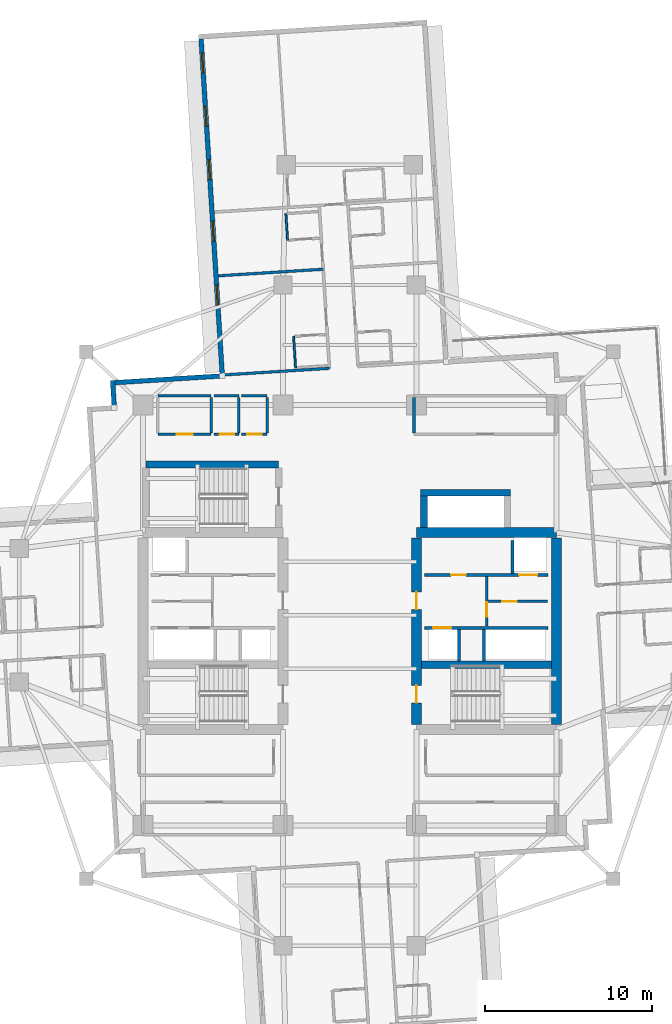
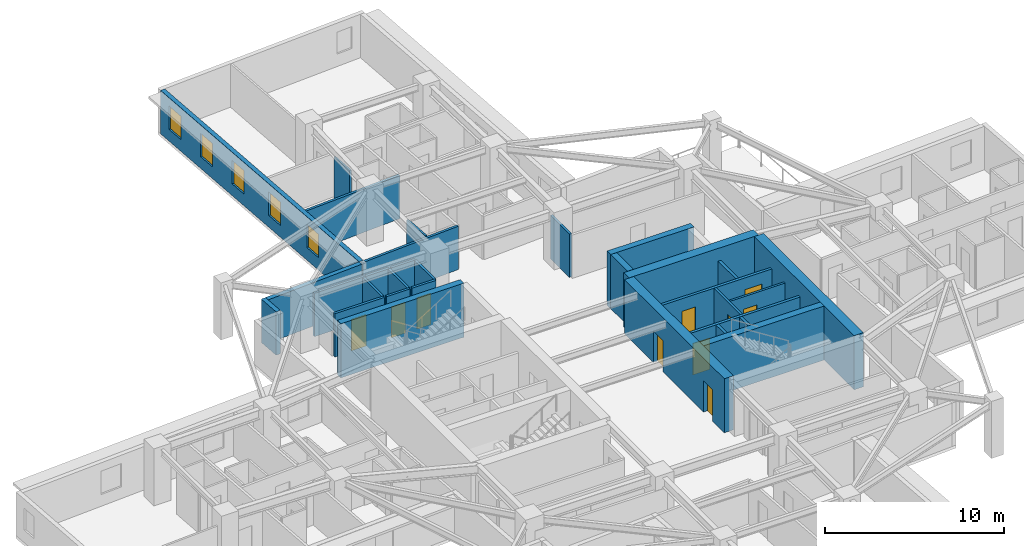
# One storey, part 6 of 14: 31 walls, 10 doors, 5 windows, 15 openings.
"""IFC4 building model written with IfcOpenShell, lengths in metres."""

from ifc_helpers import new_model, si_unit, direction, frame, frame_2d, origin, place, context, subcontext, project, spatial, rectangle, extrude, material, layer, layer_set, type_object, element, fill, save


model = new_model("IFC4")

# Units and contexts
model_context = context("Model", 3, precision=1e-05, world=origin(), true_north=direction((0.0, 1.0)))
body_context = subcontext(model_context, "Body", "Model", "MODEL_VIEW")
ifc_project = project(units=[si_unit("LENGTHUNIT", "METRE"), si_unit("AREAUNIT", "SQUARE_METRE"), si_unit("VOLUMEUNIT", "CUBIC_METRE"), si_unit("PLANEANGLEUNIT", "RADIAN"), si_unit("MASSUNIT", "GRAM", prefix="KILO")], contexts=[model_context])

# Site, building, storey
site_placement = place(None, origin())
site = spatial("IfcSite", under=ifc_project, at=site_placement, CompositionType="ELEMENT")
building_placement = place(site_placement, origin())
building = spatial("IfcBuilding", under=site, at=building_placement, Name="Qingluan Cross Belvedere", CompositionType="ELEMENT")
storey_placement = place(building_placement, frame((0.0, 0.0, 128.10009765625)))
storey = spatial("IfcBuildingStorey", under=building, at=storey_placement, Name="L32", CompositionType="ELEMENT", Elevation=128.10009765625)

# Walls
ifc_material_1 = material(Name="Concrete C50", Category="concrete")
ifc_layer_1 = layer(ifc_material_1, 0.449951171875, Name="CoreShearWall_450")
ifc_layer_set_1 = layer_set([ifc_layer_1], Name="Concrete C50")
wall_type_1 = type_object("IfcWallType", Name="CoreShearWall_450", PredefinedType="SHEAR", material=ifc_layer_set_1)
wall_1_placement = place(storey_placement, frame((4.304931640625, -2.9599609375, 0.0), z_axis=(0.0, 0.0, 1.0), x_axis=(1.0, 0.0, 0.0)))
element("IfcWall", 1, at=wall_1_placement, inside=storey, type_object=wall_type_1, Name="Split core E shear wall L32-M", PredefinedType="SHEAR", context=body_context, shape_type="SweptSolid", body=[
    extrude(rectangle(XDim=7.7900390625, YDim=0.449951171875, at=frame_2d((3.89501953125, 0.0))), origin(), (0.0, 0.0, 1.0), 3.699951171875),
])
wall_2_placement = place(storey_placement, frame((-12.219970703125, 9.0400390625, 0.0), z_axis=(0.0, 0.0, 1.0), x_axis=(1.0, 0.0, 0.0)))
element("IfcWall", 2, at=wall_2_placement, inside=storey, type_object=wall_type_1, Name="Stair ST3 structural wall N L32", PredefinedType="SHEAR", context=body_context, shape_type="SweptSolid", body=[
    extrude(rectangle(XDim=7.9599609375, YDim=0.39990234375, at=frame_2d((3.97998046875, 0.0))), origin(), (0.0, 0.0, 1.0), 3.699951171875),
])
wall_3_placement = place(storey_placement, frame((4.449951171875, 5.2548828125, 0.0), z_axis=(0.0, 0.0, 1.0), x_axis=(0.0, 1.0, 0.0)))
element("IfcWall", 3, at=wall_3_placement, inside=storey, type_object=wall_type_1, Name="Express shuttle core wall L32-W", PredefinedType="SHEAR", context=body_context, shape_type="SweptSolid", body=[
    extrude(rectangle(XDim=1.885009765625, YDim=0.39990234375, at=frame_2d((0.9423828125, 0.0))), origin(), (0.0, 0.0, 1.0), 3.699951171875),
])
wall_4_placement = place(storey_placement, frame((4.25, 7.35009765625, 0.0), z_axis=(0.0, 0.0, 1.0), x_axis=(1.0, 0.0, 0.0)))
element("IfcWall", 4, at=wall_4_placement, inside=storey, type_object=wall_type_1, Name="Express shuttle core wall L32-N", PredefinedType="SHEAR", context=body_context, shape_type="SweptSolid", body=[
    extrude(rectangle(XDim=5.39990234375, YDim=0.39990234375, at=frame_2d((2.699951171875, 0.0))), origin(), (0.0, 0.0, 1.0), 3.699951171875),
])
ifc_material_2 = material(Name="Concrete C60", Category="concrete")
ifc_layer_2 = layer(ifc_material_2, 0.60009765625, Name="CoreShearWall_600")
ifc_layer_set_2 = layer_set([ifc_layer_2], Name="Concrete C60")
wall_type_2 = type_object("IfcWallType", Name="CoreShearWall_600", PredefinedType="SHEAR", material=ifc_layer_set_2)
wall_5_placement = place(storey_placement, frame((4.0, 4.949951171875, 0.0), z_axis=(0.0, 0.0, 1.0), x_axis=(1.0, 0.0, 0.0)))
element("IfcWall", 5, at=wall_5_placement, inside=storey, type_object=wall_type_2, Name="Split core E shear wall L32-N", PredefinedType="SHEAR", context=body_context, shape_type="SweptSolid", body=[
    extrude(rectangle(XDim=8.39990234375, YDim=0.60009765625, at=frame_2d((4.199951171875, 0.0))), origin(), (0.0, 0.0, 1.0), 3.699951171875),
])

# Wall, openings, doors
wall_6_placement = place(storey_placement, frame((4.0, -6.544921875, 0.0), z_axis=(0.0, 0.0, 1.0), x_axis=(0.0, 1.0, 0.0)))
wall_6 = element("IfcWall", 6, at=wall_6_placement, inside=storey, type_object=wall_type_2, Name="Split core E shear wall L32-W", PredefinedType="SHEAR", context=body_context, shape_type="SweptSolid", body=[
    extrude(rectangle(XDim=11.18994140625, YDim=0.60009765625, at=frame_2d((5.594970703125, 0.0))), origin(), (0.0, 0.0, 1.0), 3.699951171875),
])
opening_1_placement = place(wall_6_placement, frame((1.294921875, 0.0, 0.0)))
opening_1 = element("IfcOpeningElement", 7, at=opening_1_placement, cuts=wall_6, Name="Opening FD-B11", PredefinedType="OPENING", context=body_context, shape_type="SweptSolid", body=[
    extrude(rectangle(XDim=1.050048828125, YDim=2.14990234375, at=frame_2d((0.52490234375, 1.074951171875))), frame((0.0, 0.31005859375, 0.0), z_axis=(0.0, -1.0, 0.0), x_axis=(1.0, 0.0, 0.0)), (0.0, 0.0, 1.0), 0.6201171875),
])
opening_2_placement = place(wall_6_placement, frame((6.89501953125, 0.0, 0.0)))
opening_2 = element("IfcOpeningElement", 8, at=opening_2_placement, cuts=wall_6, Name="Opening FD-B11", PredefinedType="OPENING", context=body_context, shape_type="SweptSolid", body=[
    extrude(rectangle(XDim=1.050048828125, YDim=2.14990234375, at=frame_2d((0.52490234375, 1.074951171875))), frame((0.0, 0.31005859375, 0.0), z_axis=(0.0, -1.0, 0.0), x_axis=(1.0, 0.0, 0.0)), (0.0, 0.0, 1.0), 0.6201171875),
])
ifc_material_3 = material(Name="Steel Class B smoke-seal fire door", Category="steel")
door_type_1 = type_object("IfcDoorType", Name="StairLobbyFireDoor_FDB", OperationType="NOTDEFINED", PredefinedType="DOOR", material=ifc_material_3)
door_1_placement = place(opening_1_placement, origin())
door_1 = element("IfcDoor", 9, at=door_1_placement, inside=storey, type_object=door_type_1, Name="Smoke-proof stair ST2 fire door L32", OperationType="SINGLE_SWING_LEFT", OverallHeight=2.14990234375, OverallWidth=1.050048828125, PredefinedType="DOOR", context=body_context, shape_type="SweptSolid", body=[
    extrude(rectangle(XDim=1.050048828125, YDim=2.14990234375, at=frame_2d((0.52490234375, 1.074951171875))), frame((0.0, 0.02490234375, 0.0), z_axis=(0.0, -1.0, 0.0), x_axis=(1.0, 0.0, 0.0)), (0.0, 0.0, 1.0), 0.050048828125),
])
fill(opening_1, door_1)
door_2_placement = place(opening_2_placement, origin())
door_2 = element("IfcDoor", 10, at=door_2_placement, inside=storey, type_object=door_type_1, Name="Firefighting lobby East fire door L32", OperationType="SINGLE_SWING_LEFT", OverallHeight=2.14990234375, OverallWidth=1.050048828125, PredefinedType="DOOR", context=body_context, shape_type="SweptSolid", body=[
    extrude(rectangle(XDim=1.050048828125, YDim=2.14990234375, at=frame_2d((0.52490234375, 1.074951171875))), frame((0.0, 0.02490234375, 0.0), z_axis=(0.0, -1.0, 0.0), x_axis=(1.0, 0.0, 0.0)), (0.0, 0.0, 1.0), 0.050048828125),
])
fill(opening_2, door_2)

# Wall
wall_7_placement = place(storey_placement, frame((12.39990234375, -6.544921875, 0.0), z_axis=(0.0, 0.0, 1.0), x_axis=(0.0, 1.0, 0.0)))
element("IfcWall", 11, at=wall_7_placement, inside=storey, type_object=wall_type_2, Name="Split core E shear wall L32-E", PredefinedType="SHEAR", context=body_context, shape_type="SweptSolid", body=[
    extrude(rectangle(XDim=11.18994140625, YDim=0.60009765625, at=frame_2d((5.594970703125, 0.0))), origin(), (0.0, 0.0, 1.0), 3.699951171875),
])

# Wall, opening, door
ifc_material_4 = material(Name="Gypsum plasterboard on steel stud acoustic partition", Category="steel")
ifc_layer_3 = layer(ifc_material_4, 0.159912109375, Name="CorridorPartition_160")
ifc_layer_set_3 = layer_set([ifc_layer_3], Name="Gypsum plasterboard on steel stud acoustic partition")
wall_type_3 = type_object("IfcWallType", Name="CorridorPartition_160", PredefinedType="PARTITIONING", material=ifc_layer_set_3)
wall_8_placement = place(storey_placement, frame((8.298095703125, 0.830078125, 0.0), z_axis=(0.0, 0.0, 1.0), x_axis=(1.0, 0.0, 0.0)))
wall_8 = element("IfcWall", 12, at=wall_8_placement, inside=storey, type_object=wall_type_3, Name="Partition L32:e", PredefinedType="PARTITIONING", context=body_context, shape_type="SweptSolid", body=[
    extrude(rectangle(XDim=3.552001953125, YDim=0.139892578125, at=frame_2d((1.77587890625, 0.0))), origin(), (0.0, 0.0, 1.0), 2.9599609375),
])
opening_3_placement = place(wall_8_placement, frame((0.85009765625, 0.0, 0.0)))
opening_3 = element("IfcOpeningElement", 13, at=opening_3_placement, cuts=wall_8, Name="Opening FD-B10", PredefinedType="OPENING", context=body_context, shape_type="SweptSolid", body=[
    extrude(rectangle(XDim=0.8798828125, YDim=2.10009765625, at=frame_2d((0.43994140625, 1.050048828125))), frame((0.0, 0.079833984375, 0.0), z_axis=(0.0, -1.0, 0.0), x_axis=(1.0, 0.0, 0.0)), (0.0, 0.0, 1.0), 0.159912109375),
])
ifc_material_5 = material(Name="Steel Class B service fire door", Category="steel")
door_type_2 = type_object("IfcDoorType", Name="RiserServiceFireDoor_FDB", OperationType="NOTDEFINED", PredefinedType="DOOR", material=ifc_material_5)
door_3_placement = place(opening_3_placement, origin())
door_3 = element("IfcDoor", 14, at=door_3_placement, inside=storey, type_object=door_type_2, Name="Service closet inner door L32", OperationType="SINGLE_SWING_RIGHT", OverallHeight=2.10009765625, OverallWidth=0.8798828125, PredefinedType="DOOR", context=body_context, shape_type="SweptSolid", body=[
    extrude(rectangle(XDim=0.8798828125, YDim=2.10009765625, at=frame_2d((0.43994140625, 1.050048828125))), frame((0.0, 0.02490234375, 0.0), z_axis=(0.0, -1.0, 0.0), x_axis=(1.0, 0.0, 0.0)), (0.0, 0.0, 1.0), 0.050048828125),
])
fill(opening_3, door_3)

wall_9_placement = place(storey_placement, frame((-11.5, 10.85009765625, 0.0), z_axis=(0.0, 0.0, 1.0), x_axis=(1.0, 0.0, 0.0)))
wall_9 = element("IfcWall", 15, at=wall_9_placement, inside=storey, type_object=wall_type_3, Name="Partition L32:q_nw_occ:S", PredefinedType="PARTITIONING", context=body_context, shape_type="SweptSolid", body=[
    extrude(rectangle(XDim=3.199951171875, YDim=0.159912109375, at=frame_2d((1.60009765625, 0.0))), origin(), (0.0, 0.0, 1.0), 2.9599609375),
])
opening_4_placement = place(wall_9_placement, frame((1.1201171875, 0.0, 0.0)))
opening_4 = element("IfcOpeningElement", 16, at=opening_4_placement, cuts=wall_9, Name="Opening GD-10", PredefinedType="OPENING", context=body_context, shape_type="SweptSolid", body=[
    extrude(rectangle(XDim=0.9599609375, YDim=2.14990234375, at=frame_2d((0.47998046875, 1.074951171875))), frame((0.0, 0.08984375, 0.0), z_axis=(0.0, -1.0, 0.0), x_axis=(1.0, 0.0, 0.0)), (0.0, 0.0, 1.0), 0.179931640625),
])
ifc_material_6 = material(Name="Timber oak fire-rated acoustic guestroom door", Category="wood")
door_type_3 = type_object("IfcDoorType", Name="GuestEntryDoor_FD60", OperationType="NOTDEFINED", PredefinedType="DOOR", material=ifc_material_6)
door_4_placement = place(opening_4_placement, origin())
door_4 = element("IfcDoor", 17, at=door_4_placement, inside=storey, type_object=door_type_3, Name="Northwest corner reading salon L32 door", OperationType="SINGLE_SWING_RIGHT", OverallHeight=2.14990234375, OverallWidth=0.9599609375, PredefinedType="DOOR", context=body_context, shape_type="SweptSolid", body=[
    extrude(rectangle(XDim=0.9599609375, YDim=2.14990234375, at=frame_2d((0.47998046875, 1.074951171875))), frame((0.0, 0.02490234375, 0.0), z_axis=(0.0, -1.0, 0.0), x_axis=(1.0, 0.0, 0.0)), (0.0, 0.0, 1.0), 0.050048828125),
])
fill(opening_4, door_4)

# Walls
wall_10_placement = place(storey_placement, frame((-11.5, 13.14990234375, 0.0), z_axis=(0.0, 0.0, 1.0), x_axis=(1.0, 0.0, 0.0)))
element("IfcWall", 18, at=wall_10_placement, inside=storey, type_object=wall_type_3, Name="Partition L32:q_nw_occ:N", PredefinedType="PARTITIONING", context=body_context, shape_type="SweptSolid", body=[
    extrude(rectangle(XDim=3.199951171875, YDim=0.159912109375, at=frame_2d((1.60009765625, 0.0))), origin(), (0.0, 0.0, 1.0), 2.9599609375),
])
wall_11_placement = place(storey_placement, frame((-8.300048828125, 10.93505859375, 0.0), z_axis=(0.0, 0.0, 1.0), x_axis=(0.0, 1.0, 0.0)))
element("IfcWall", 19, at=wall_11_placement, inside=storey, type_object=wall_type_3, Name="Partition L32:q_nw_occ:E", PredefinedType="PARTITIONING", context=body_context, shape_type="SweptSolid", body=[
    extrude(rectangle(XDim=2.1298828125, YDim=0.159912109375, at=frame_2d((1.06494140625, 0.0))), origin(), (0.0, 0.0, 1.0), 2.9599609375),
])

# Wall, opening, door
wall_12_placement = place(storey_placement, frame((-8.139892578125, 10.85009765625, 0.0), z_axis=(0.0, 0.0, 1.0), x_axis=(1.0, 0.0, 0.0)))
wall_12 = element("IfcWall", 20, at=wall_12_placement, inside=storey, type_object=wall_type_3, Name="Partition L32:hk_linen:S", PredefinedType="PARTITIONING", context=body_context, shape_type="SweptSolid", body=[
    extrude(rectangle(XDim=1.489990234375, YDim=0.159912109375, at=frame_2d((0.7451171875, 0.0))), origin(), (0.0, 0.0, 1.0), 2.9599609375),
])
opening_5_placement = place(wall_12_placement, frame((0.35009765625, 0.0, 0.0)))
opening_5 = element("IfcOpeningElement", 21, at=opening_5_placement, cuts=wall_12, Name="Opening FD-B10", PredefinedType="OPENING", context=body_context, shape_type="SweptSolid", body=[
    extrude(rectangle(XDim=0.8798828125, YDim=2.10009765625, at=frame_2d((0.43994140625, 1.050048828125))), frame((0.0, 0.08984375, 0.0), z_axis=(0.0, -1.0, 0.0), x_axis=(1.0, 0.0, 0.0)), (0.0, 0.0, 1.0), 0.179931640625),
])
door_5_placement = place(opening_5_placement, origin())
door_5 = element("IfcDoor", 22, at=door_5_placement, inside=storey, type_object=door_type_2, Name="Housekeeping and linen store L32 door", OperationType="SINGLE_SWING_LEFT", OverallHeight=2.10009765625, OverallWidth=0.8798828125, PredefinedType="DOOR", context=body_context, shape_type="SweptSolid", body=[
    extrude(rectangle(XDim=0.8798828125, YDim=2.10009765625, at=frame_2d((0.43994140625, 1.050048828125))), frame((0.0, 0.02490234375, 0.0), z_axis=(0.0, -1.0, 0.0), x_axis=(1.0, 0.0, 0.0)), (0.0, 0.0, 1.0), 0.050048828125),
])
fill(opening_5, door_5)

# Walls
wall_13_placement = place(storey_placement, frame((-8.139892578125, 13.14990234375, 0.0), z_axis=(0.0, 0.0, 1.0), x_axis=(1.0, 0.0, 0.0)))
element("IfcWall", 23, at=wall_13_placement, inside=storey, type_object=wall_type_3, Name="Partition L32:hk_linen:N", PredefinedType="PARTITIONING", context=body_context, shape_type="SweptSolid", body=[
    extrude(rectangle(XDim=1.489990234375, YDim=0.159912109375, at=frame_2d((0.7451171875, 0.0))), origin(), (0.0, 0.0, 1.0), 2.9599609375),
])
wall_14_placement = place(storey_placement, frame((-6.64990234375, 10.93505859375, 0.0), z_axis=(0.0, 0.0, 1.0), x_axis=(0.0, 1.0, 0.0)))
element("IfcWall", 24, at=wall_14_placement, inside=storey, type_object=wall_type_3, Name="Partition L32:hk_linen:E", PredefinedType="PARTITIONING", context=body_context, shape_type="SweptSolid", body=[
    extrude(rectangle(XDim=2.1298828125, YDim=0.159912109375, at=frame_2d((1.06494140625, 0.0))), origin(), (0.0, 0.0, 1.0), 2.9599609375),
])

# Wall, opening, door
wall_15_placement = place(storey_placement, frame((-6.489990234375, 10.85009765625, 0.0), z_axis=(0.0, 0.0, 1.0), x_axis=(1.0, 0.0, 0.0)))
wall_15 = element("IfcWall", 25, at=wall_15_placement, inside=storey, type_object=wall_type_3, Name="Partition L32:floor_acc_wc:S", PredefinedType="PARTITIONING", context=body_context, shape_type="SweptSolid", body=[
    extrude(rectangle(XDim=1.5400390625, YDim=0.159912109375, at=frame_2d((0.77001953125, 0.0))), origin(), (0.0, 0.0, 1.0), 2.9599609375),
])
opening_6_placement = place(wall_15_placement, frame((0.35009765625, 0.0, 0.0)))
opening_6 = element("IfcOpeningElement", 26, at=opening_6_placement, cuts=wall_15, Name="Opening BD-08", PredefinedType="OPENING", context=body_context, shape_type="SweptSolid", body=[
    extrude(rectangle(XDim=0.8798828125, YDim=2.14990234375, at=frame_2d((0.43994140625, 1.074951171875))), frame((0.0, 0.08984375, 0.0), z_axis=(0.0, -1.0, 0.0), x_axis=(1.0, 0.0, 0.0)), (0.0, 0.0, 1.0), 0.179931640625),
])
ifc_material_7 = material(Name="Moisture-sealed timber accessible WC door", Category="wood")
door_type_4 = type_object("IfcDoorType", Name="AccessibleWCDoor_880", OperationType="NOTDEFINED", PredefinedType="DOOR", material=ifc_material_7)
door_6_placement = place(opening_6_placement, origin())
door_6 = element("IfcDoor", 27, at=door_6_placement, inside=storey, type_object=door_type_4, Name="Accessible guest washroom L32 door", OperationType="SINGLE_SWING_RIGHT", OverallHeight=2.14990234375, OverallWidth=0.8798828125, PredefinedType="DOOR", context=body_context, shape_type="SweptSolid", body=[
    extrude(rectangle(XDim=0.8798828125, YDim=2.14990234375, at=frame_2d((0.43994140625, 1.074951171875))), frame((0.0, 0.02490234375, 0.0), z_axis=(0.0, -1.0, 0.0), x_axis=(1.0, 0.0, 0.0)), (0.0, 0.0, 1.0), 0.050048828125),
])
fill(opening_6, door_6)

# Walls
wall_16_placement = place(storey_placement, frame((-6.489990234375, 13.14990234375, 0.0), z_axis=(0.0, 0.0, 1.0), x_axis=(1.0, 0.0, 0.0)))
element("IfcWall", 28, at=wall_16_placement, inside=storey, type_object=wall_type_3, Name="Partition L32:floor_acc_wc:N", PredefinedType="PARTITIONING", context=body_context, shape_type="SweptSolid", body=[
    extrude(rectangle(XDim=1.5400390625, YDim=0.159912109375, at=frame_2d((0.77001953125, 0.0))), origin(), (0.0, 0.0, 1.0), 2.9599609375),
])
for number, where, z_axis, x_axis, name in (
    (29, (-4.949951171875, 10.93505859375, 0.0), (0.0, 0.0, 1.0), (0.0, 1.0, 0.0), "Partition L32:floor_acc_wc:E"),
    (30, (3.85009765625, 10.93505859375, 0.0), (0.0, 0.0, 1.0), (0.0, 1.0, 0.0), "Partition L32:q_ne:W"),
):
    element("IfcWall", number, at=place(storey_placement, frame(where, z_axis=z_axis, x_axis=x_axis)), inside=storey, type_object=wall_type_3, Name=name, PredefinedType="PARTITIONING", context=body_context, shape_type="SweptSolid", body=[
        extrude(rectangle(XDim=2.1298828125, YDim=0.159912109375, at=frame_2d((1.06494140625, 0.0))), origin(), (0.0, 0.0, 1.0), 2.9599609375),
    ])
wall_17_placement = place(storey_placement, frame((-1.2119140625, 14.802978515625, 0.0), z_axis=(0.0, 0.0, 1.0), x_axis=(-0.998027420959, -0.062779511096, 0.0)))
element("IfcWall", 31, at=wall_17_placement, inside=storey, type_object=wall_type_3, Name="Partition L32:N:s1", PredefinedType="PARTITIONING", context=body_context, shape_type="SweptSolid", body=[
    extrude(rectangle(XDim=6.43994140625, YDim=0.159912109375, at=frame_2d((3.219970703125, 0.0))), origin(), (0.0, 0.0, 1.0), 2.9599609375),
])
wall_18_placement = place(storey_placement, frame((-1.58544921875, 20.741455078125, 0.0), z_axis=(0.0, 0.0, 1.0), x_axis=(-0.998024851178, -0.062820350455, 0.0)))
element("IfcWall", 32, at=wall_18_placement, inside=storey, type_object=wall_type_3, Name="Partition L32:N:d1_0", PredefinedType="PARTITIONING", context=body_context, shape_type="SweptSolid", body=[
    extrude(rectangle(XDim=6.2919921875, YDim=0.159912109375, at=frame_2d((3.14599609375, 0.0))), origin(), (0.0, 0.0, 1.0), 2.9599609375),
])
ifc_material_8 = material(Name="Moisture-resistant gypsum board lining")
ifc_layer_4 = layer(ifc_material_8, 0.1201171875, Name="EnsuiteWetPartition_120")
ifc_layer_set_4 = layer_set([ifc_layer_4], Name="Moisture-resistant gypsum board lining")
wall_type_4 = type_object("IfcWallType", Name="EnsuiteWetPartition_120", PredefinedType="PARTITIONING", material=ifc_layer_set_4)
wall_19_placement = place(storey_placement, frame((-3.242919921875, 14.835693359375, 0.0), z_axis=(0.0, 0.0, 1.0), x_axis=(-0.062855297722, 0.998022650819, 0.0)))
element("IfcWall", 33, at=wall_19_placement, inside=storey, type_object=wall_type_4, Name="Partition L32:N:bc1_0", PredefinedType="PARTITIONING", context=body_context, shape_type="SweptSolid", body=[
    extrude(rectangle(XDim=1.8798828125, YDim=0.1201171875, at=frame_2d((0.93994140625, 0.0))), origin(), (0.0, 0.0, 1.0), 2.9599609375),
])
wall_20_placement = place(storey_placement, frame((-3.723876953125, 22.48046875, 0.0), z_axis=(0.0, 0.0, 1.0), x_axis=(-0.062862733403, 0.998022182494, 0.0)))
element("IfcWall", 34, at=wall_20_placement, inside=storey, type_object=wall_type_4, Name="Partition L32:N:bc1_1", PredefinedType="PARTITIONING", context=body_context, shape_type="SweptSolid", body=[
    extrude(rectangle(XDim=1.60009765625, YDim=0.1201171875, at=frame_2d((0.800048828125, 0.0))), origin(), (0.0, 0.0, 1.0), 2.9599609375),
])

# Wall, openings, windows
ifc_material_9 = material(Name="Precast concrete C45", Category="concrete")
ifc_layer_5 = layer(ifc_material_9, 0.280029296875, Name="PrecastFacadeWall_280")
ifc_layer_set_5 = layer_set([ifc_layer_5], Name="Precast concrete C45")
wall_type_5 = type_object("IfcWallType", Name="PrecastFacadeWall_280", PredefinedType="STANDARD", material=ifc_layer_set_5)
wall_21_placement = place(storey_placement, frame((-8.906982421875, 34.548828125, 0.0), z_axis=(0.0, 0.0, 1.0), x_axis=(0.06279645424, -0.99802635503, 0.0)))
wall_21 = element("IfcWall", 35, at=wall_21_placement, inside=storey, type_object=wall_type_5, Name="Facade wall L32-NB", PredefinedType="STANDARD", context=body_context, shape_type="SweptSolid", body=[
    extrude(rectangle(XDim=20.099853515625, YDim=0.280029296875, at=frame_2d((10.0498046875, 0.0))), origin(), (0.0, 0.0, 1.0), 2.969970703125),
])
opening_7_placement = place(wall_21_placement, frame((0.85009765625, 0.0, 0.800048828125)))
opening_7 = element("IfcOpeningElement", 36, at=opening_7_placement, cuts=wall_21, Name="Opening W-02", PredefinedType="OPENING", context=body_context, shape_type="SweptSolid", body=[
    extrude(rectangle(XDim=1.199951171875, YDim=1.60009765625, at=frame_2d((0.60009765625, 0.800048828125))), frame((0.0, 0.14990234375, 0.0), z_axis=(0.0, -1.0, 0.0), x_axis=(1.0, 0.0, 0.0)), (0.0, 0.0, 1.0), 0.300048828125),
])
opening_8_placement = place(wall_21_placement, frame((4.050048828125, 0.0, 0.800048828125)))
opening_8 = element("IfcOpeningElement", 37, at=opening_8_placement, cuts=wall_21, Name="Opening W-02", PredefinedType="OPENING", context=body_context, shape_type="SweptSolid", body=[
    extrude(rectangle(XDim=1.199951171875, YDim=1.60009765625, at=frame_2d((0.60009765625, 0.800048828125))), frame((0.0, 0.14990234375, 0.0), z_axis=(0.0, -1.0, 0.0), x_axis=(1.0, 0.0, 0.0)), (0.0, 0.0, 1.0), 0.300048828125),
])
opening_9_placement = place(wall_21_placement, frame((7.25, 0.0, 0.800048828125)))
opening_9 = element("IfcOpeningElement", 38, at=opening_9_placement, cuts=wall_21, Name="Opening W-02", PredefinedType="OPENING", context=body_context, shape_type="SweptSolid", body=[
    extrude(rectangle(XDim=1.199951171875, YDim=1.60009765625, at=frame_2d((0.60009765625, 0.800048828125))), frame((0.0, 0.14990234375, 0.0), z_axis=(0.0, -1.0, 0.0), x_axis=(1.0, 0.0, 0.0)), (0.0, 0.0, 1.0), 0.300048828125),
])
opening_10_placement = place(wall_21_placement, frame((10.949951171875, 0.0, 0.800048828125)))
opening_10 = element("IfcOpeningElement", 39, at=opening_10_placement, cuts=wall_21, Name="Opening W-02", PredefinedType="OPENING", context=body_context, shape_type="SweptSolid", body=[
    extrude(rectangle(XDim=1.199951171875, YDim=1.60009765625, at=frame_2d((0.60009765625, 0.800048828125))), frame((0.0, 0.14990234375, 0.0), z_axis=(0.0, -1.0, 0.0), x_axis=(1.0, 0.0, 0.0)), (0.0, 0.0, 1.0), 0.300048828125),
])
opening_11_placement = place(wall_21_placement, frame((14.799072265625, 0.0, 0.85009765625)))
opening_11 = element("IfcOpeningElement", 40, at=opening_11_placement, cuts=wall_21, Name="Opening W-02", PredefinedType="OPENING", context=body_context, shape_type="SweptSolid", body=[
    extrude(rectangle(XDim=1.199951171875, YDim=1.60009765625, at=frame_2d((0.60009765625, 0.800048828125))), frame((0.0, 0.14990234375, 0.0), z_axis=(0.0, -1.0, 0.0), x_axis=(1.0, 0.0, 0.0)), (0.0, 0.0, 1.0), 0.300048828125),
])
ifc_material_10 = material(Name="Thermally broken triple Low-E glass in aluminium frame", Category="aluminium")
window_type = type_object("IfcWindowType", Name="TriRibbonWin_1200x1600", PartitioningType="SINGLE_PANEL", PredefinedType="WINDOW", material=ifc_material_10)
window_1_placement = place(opening_7_placement, origin())
window_1 = element("IfcWindow", 41, at=window_1_placement, inside=storey, type_object=window_type, Name="Ribbon window L32-NB-1", OverallHeight=1.60009765625, OverallWidth=1.199951171875, PartitioningType="SINGLE_PANEL", PredefinedType="WINDOW", context=body_context, shape_type="SweptSolid", body=[
    extrude(rectangle(XDim=1.199951171875, YDim=1.60009765625, at=frame_2d((0.60009765625, 0.800048828125))), frame((0.0, 0.030029296875, 0.0), z_axis=(0.0, -1.0, 0.0), x_axis=(1.0, 0.0, 0.0)), (0.0, 0.0, 1.0), 0.06005859375),
])
fill(opening_7, window_1)
window_2_placement = place(opening_8_placement, origin())
window_2 = element("IfcWindow", 42, at=window_2_placement, inside=storey, type_object=window_type, Name="Ribbon window L32-NB-2", OverallHeight=1.60009765625, OverallWidth=1.199951171875, PartitioningType="SINGLE_PANEL", PredefinedType="WINDOW", context=body_context, shape_type="SweptSolid", body=[
    extrude(rectangle(XDim=1.199951171875, YDim=1.60009765625, at=frame_2d((0.60009765625, 0.800048828125))), frame((0.0, 0.030029296875, 0.0), z_axis=(0.0, -1.0, 0.0), x_axis=(1.0, 0.0, 0.0)), (0.0, 0.0, 1.0), 0.06005859375),
])
fill(opening_8, window_2)
window_3_placement = place(opening_9_placement, origin())
window_3 = element("IfcWindow", 43, at=window_3_placement, inside=storey, type_object=window_type, Name="Ribbon window L32-NB-3", OverallHeight=1.60009765625, OverallWidth=1.199951171875, PartitioningType="SINGLE_PANEL", PredefinedType="WINDOW", context=body_context, shape_type="SweptSolid", body=[
    extrude(rectangle(XDim=1.199951171875, YDim=1.60009765625, at=frame_2d((0.60009765625, 0.800048828125))), frame((0.0, 0.030029296875, 0.0), z_axis=(0.0, -1.0, 0.0), x_axis=(1.0, 0.0, 0.0)), (0.0, 0.0, 1.0), 0.06005859375),
])
fill(opening_9, window_3)
window_4_placement = place(opening_10_placement, origin())
window_4 = element("IfcWindow", 44, at=window_4_placement, inside=storey, type_object=window_type, Name="Ribbon window L32-NB-4", OverallHeight=1.60009765625, OverallWidth=1.199951171875, PartitioningType="SINGLE_PANEL", PredefinedType="WINDOW", context=body_context, shape_type="SweptSolid", body=[
    extrude(rectangle(XDim=1.199951171875, YDim=1.60009765625, at=frame_2d((0.60009765625, 0.800048828125))), frame((0.0, 0.030029296875, 0.0), z_axis=(0.0, -1.0, 0.0), x_axis=(1.0, 0.0, 0.0)), (0.0, 0.0, 1.0), 0.06005859375),
])
fill(opening_10, window_4)
window_5_placement = place(opening_11_placement, origin())
window_5 = element("IfcWindow", 45, at=window_5_placement, inside=storey, type_object=window_type, Name="Corner hotel suite 3213 daylight window", OverallHeight=1.60009765625, OverallWidth=1.199951171875, PartitioningType="SINGLE_PANEL", PredefinedType="WINDOW", context=body_context, shape_type="SweptSolid", body=[
    extrude(rectangle(XDim=1.199951171875, YDim=1.60009765625, at=frame_2d((0.60009765625, 0.800048828125))), frame((0.0, 0.030029296875, 0.0), z_axis=(0.0, -1.0, 0.0), x_axis=(1.0, 0.0, 0.0)), (0.0, 0.0, 1.0), 0.06005859375),
])
fill(opening_11, window_5)

# Walls
wall_22_placement = place(storey_placement, frame((-14.11767578125, 12.578369140625, 0.0), z_axis=(0.0, 0.0, 1.0), x_axis=(-0.062824119533, 0.998024613927, 0.0)))
element("IfcWall", 46, at=wall_22_placement, inside=storey, type_object=wall_type_5, Name="Corner wall L32-NW3", PredefinedType="STANDARD", context=body_context, shape_type="SweptSolid", body=[
    extrude(rectangle(XDim=1.5, YDim=0.280029296875, at=frame_2d((0.75, 0.0))), origin(), (0.0, 0.0, 1.0), 2.969970703125),
])
wall_23_placement = place(storey_placement, frame((-14.063232421875, 13.944580078125, 0.0), z_axis=(0.0, 0.0, 1.0), x_axis=(0.998027314704, 0.062781200242, 0.0)))
element("IfcWall", 47, at=wall_23_placement, inside=storey, type_object=wall_type_5, Name="Corner wall L32-NW4", PredefinedType="STANDARD", context=body_context, shape_type="SweptSolid", body=[
    extrude(rectangle(XDim=6.2998046875, YDim=0.280029296875, at=frame_2d((3.14990234375, 0.0))), origin(), (0.0, 0.0, 1.0), 2.969970703125),
])

# Wall, openings, doors
ifc_material_11 = material(Name="Concrete C40", Category="concrete")
ifc_layer_6 = layer(ifc_material_11, 0.219970703125, Name="ShaftEnclosureWall_250")
ifc_layer_set_6 = layer_set([ifc_layer_6], Name="Concrete C40")
wall_type_6 = type_object("IfcWallType", Name="ShaftEnclosureWall_250", PredefinedType="SOLIDWALL", material=ifc_layer_set_6)
wall_24_placement = place(storey_placement, frame((4.47998046875, 2.409912109375, 0.0), z_axis=(0.0, 0.0, 1.0), x_axis=(1.0, 0.0, 0.0)))
wall_24 = element("IfcWall", 48, at=wall_24_placement, inside=storey, type_object=wall_type_6, Name="Core-E north hoistway wall L32", PredefinedType="SOLIDWALL", context=body_context, shape_type="SweptSolid", body=[
    extrude(rectangle(XDim=7.419921875, YDim=0.179931640625, at=frame_2d((3.7099609375, 0.0))), origin(), (0.0, 0.0, 1.0), 2.9599609375),
])
opening_12_placement = place(wall_24_placement, frame((5.669921875, 0.0, 0.0)))
opening_12 = element("IfcOpeningElement", 49, at=opening_12_placement, cuts=wall_24, Name="Opening LD-11", PredefinedType="OPENING", context=body_context, shape_type="SweptSolid", body=[
    extrude(rectangle(XDim=1.10009765625, YDim=2.14990234375, at=frame_2d((0.550048828125, 1.074951171875))), frame((0.0, 0.099853515625, 0.0), z_axis=(0.0, -1.0, 0.0), x_axis=(1.0, 0.0, 0.0)), (0.0, 0.0, 1.0), 0.199951171875),
])
opening_13_placement = place(wall_24_placement, frame((1.60009765625, 0.0, 0.0)))
opening_13 = element("IfcOpeningElement", 50, at=opening_13_placement, cuts=wall_24, Name="Opening FD-B10", PredefinedType="OPENING", context=body_context, shape_type="SweptSolid", body=[
    extrude(rectangle(XDim=0.8798828125, YDim=2.10009765625, at=frame_2d((0.43994140625, 1.050048828125))), frame((0.0, 0.099853515625, 0.0), z_axis=(0.0, -1.0, 0.0), x_axis=(1.0, 0.0, 0.0)), (0.0, 0.0, 1.0), 0.199951171875),
])
ifc_material_12 = material(Name="Brushed stainless steel centre-opening lift landing door", Category="steel")
door_type_5 = type_object("IfcDoorType", Name="LiftLandingSlidingDoor_1100", OperationType="DOUBLE_DOOR_SLIDING", PredefinedType="DOOR", material=ifc_material_12)
door_7_placement = place(opening_12_placement, origin())
door_7 = element("IfcDoor", 51, at=door_7_placement, inside=storey, type_object=door_type_5, Name="Lift landing sliding door FL2 L32", OperationType="DOUBLE_DOOR_SLIDING", OverallHeight=2.14990234375, OverallWidth=1.10009765625, PredefinedType="DOOR", context=body_context, shape_type="SweptSolid", body=[
    extrude(rectangle(XDim=1.10009765625, YDim=2.14990234375, at=frame_2d((0.550048828125, 1.074951171875))), frame((0.0, 0.02490234375, 0.0), z_axis=(0.0, -1.0, 0.0), x_axis=(1.0, 0.0, 0.0)), (0.0, 0.0, 1.0), 0.050048828125),
])
fill(opening_12, door_7)
door_8_placement = place(opening_13_placement, origin())
door_8 = element("IfcDoor", 52, at=door_8_placement, inside=storey, type_object=door_type_2, Name="Pantry room door E L32", OperationType="SINGLE_SWING_RIGHT", OverallHeight=2.10009765625, OverallWidth=0.8798828125, PredefinedType="DOOR", context=body_context, shape_type="SweptSolid", body=[
    extrude(rectangle(XDim=0.8798828125, YDim=2.10009765625, at=frame_2d((0.43994140625, 1.050048828125))), frame((0.0, 0.02490234375, 0.0), z_axis=(0.0, -1.0, 0.0), x_axis=(1.0, 0.0, 0.0)), (0.0, 0.0, 1.0), 0.050048828125),
])
fill(opening_13, door_8)

# Wall, opening, door
wall_25_placement = place(storey_placement, frame((4.47998046875, -0.75, 0.0), z_axis=(0.0, 0.0, 1.0), x_axis=(1.0, 0.0, 0.0)))
wall_25 = element("IfcWall", 53, at=wall_25_placement, inside=storey, type_object=wall_type_6, Name="Core-E mid hoistway wall L32", PredefinedType="SOLIDWALL", context=body_context, shape_type="SweptSolid", body=[
    extrude(rectangle(XDim=7.419921875, YDim=0.179931640625, at=frame_2d((3.7099609375, 0.0))), origin(), (0.0, 0.0, 1.0), 2.9599609375),
])
opening_14_placement = place(wall_25_placement, frame((0.52001953125, 0.0, 0.0)))
opening_14 = element("IfcOpeningElement", 54, at=opening_14_placement, cuts=wall_25, Name="Opening LD-11", PredefinedType="OPENING", context=body_context, shape_type="SweptSolid", body=[
    extrude(rectangle(XDim=1.10009765625, YDim=2.14990234375, at=frame_2d((0.550048828125, 1.074951171875))), frame((0.0, 0.099853515625, 0.0), z_axis=(0.0, -1.0, 0.0), x_axis=(1.0, 0.0, 0.0)), (0.0, 0.0, 1.0), 0.199951171875),
])
door_9_placement = place(opening_14_placement, origin())
door_9 = element("IfcDoor", 55, at=door_9_placement, inside=storey, type_object=door_type_5, Name="Lift landing sliding door LP7 L32", OperationType="DOUBLE_DOOR_SLIDING", OverallHeight=2.14990234375, OverallWidth=1.10009765625, PredefinedType="DOOR", context=body_context, shape_type="SweptSolid", body=[
    extrude(rectangle(XDim=1.10009765625, YDim=2.14990234375, at=frame_2d((0.550048828125, 1.074951171875))), frame((0.0, 0.02490234375, 0.0), z_axis=(0.0, -1.0, 0.0), x_axis=(1.0, 0.0, 0.0)), (0.0, 0.0, 1.0), 0.050048828125),
])
fill(opening_14, door_9)

# Walls
wall_26_placement = place(storey_placement, frame((9.760009765625, 2.5, 0.0), z_axis=(0.0, 0.0, 1.0), x_axis=(0.0, 1.0, 0.0)))
element("IfcWall", 56, at=wall_26_placement, inside=storey, type_object=wall_type_6, Name="Hoistway enclosure divider FL2W L32", PredefinedType="SOLIDWALL", context=body_context, shape_type="SweptSolid", body=[
    extrude(rectangle(XDim=1.989990234375, YDim=0.179931640625, at=frame_2d((0.9951171875, 0.0))), origin(), (0.0, 0.0, 1.0), 2.9599609375),
])
for number, where, z_axis, x_axis, name in (
    (57, (6.5400390625, -2.72998046875, 0.0), (0.0, 0.0, 1.0), (0.0, 1.0, 0.0), "Hoistway enclosure divider LP7E L32"),
    (58, (8.06005859375, -2.72998046875, 0.0), (0.0, 0.0, 1.0), (0.0, 1.0, 0.0), "Hoistway enclosure divider LP9W L32"),
):
    element("IfcWall", number, at=place(storey_placement, frame(where, z_axis=z_axis, x_axis=x_axis)), inside=storey, type_object=wall_type_6, Name=name, PredefinedType="SOLIDWALL", context=body_context, shape_type="SweptSolid", body=[
        extrude(rectangle(XDim=1.889892578125, YDim=0.179931640625, at=frame_2d((0.94482421875, 0.0))), origin(), (0.0, 0.0, 1.0), 2.9599609375),
    ])

# Wall, opening, door
wall_27_placement = place(storey_placement, frame((8.219970703125, -0.64990234375, 0.0), z_axis=(0.0, 0.0, 1.0), x_axis=(0.0, 1.0, 0.0)))
wall_27 = element("IfcWall", 59, at=wall_27_placement, inside=storey, type_object=wall_type_6, Name="Core-E service corridor wall L32", PredefinedType="SOLIDWALL", context=body_context, shape_type="SweptSolid", body=[
    extrude(rectangle(XDim=2.9599609375, YDim=0.139892578125, at=frame_2d((1.47998046875, 0.0))), origin(), (0.0, 0.0, 1.0), 2.9599609375),
])
opening_15_placement = place(wall_27_placement, frame((0.550048828125, 0.0, 0.0)))
opening_15 = element("IfcOpeningElement", 60, at=opening_15_placement, cuts=wall_27, Name="Opening FD-B10", PredefinedType="OPENING", context=body_context, shape_type="SweptSolid", body=[
    extrude(rectangle(XDim=0.8798828125, YDim=2.10009765625, at=frame_2d((0.43994140625, 1.050048828125))), frame((0.0, 0.079833984375, 0.0), z_axis=(0.0, -1.0, 0.0), x_axis=(1.0, 0.0, 0.0)), (0.0, 0.0, 1.0), 0.159912109375),
])
door_10_placement = place(opening_15_placement, origin())
door_10 = element("IfcDoor", 61, at=door_10_placement, inside=storey, type_object=door_type_2, Name="Core-E service room door L32", OperationType="SINGLE_SWING_RIGHT", OverallHeight=2.10009765625, OverallWidth=0.8798828125, PredefinedType="DOOR", context=body_context, shape_type="SweptSolid", body=[
    extrude(rectangle(XDim=0.8798828125, YDim=2.10009765625, at=frame_2d((0.43994140625, 1.050048828125))), frame((0.0, 0.02490234375, 0.0), z_axis=(0.0, -1.0, 0.0), x_axis=(1.0, 0.0, 0.0)), (0.0, 0.0, 1.0), 0.050048828125),
])
fill(opening_15, door_10)

save(model, "model.ifc")
